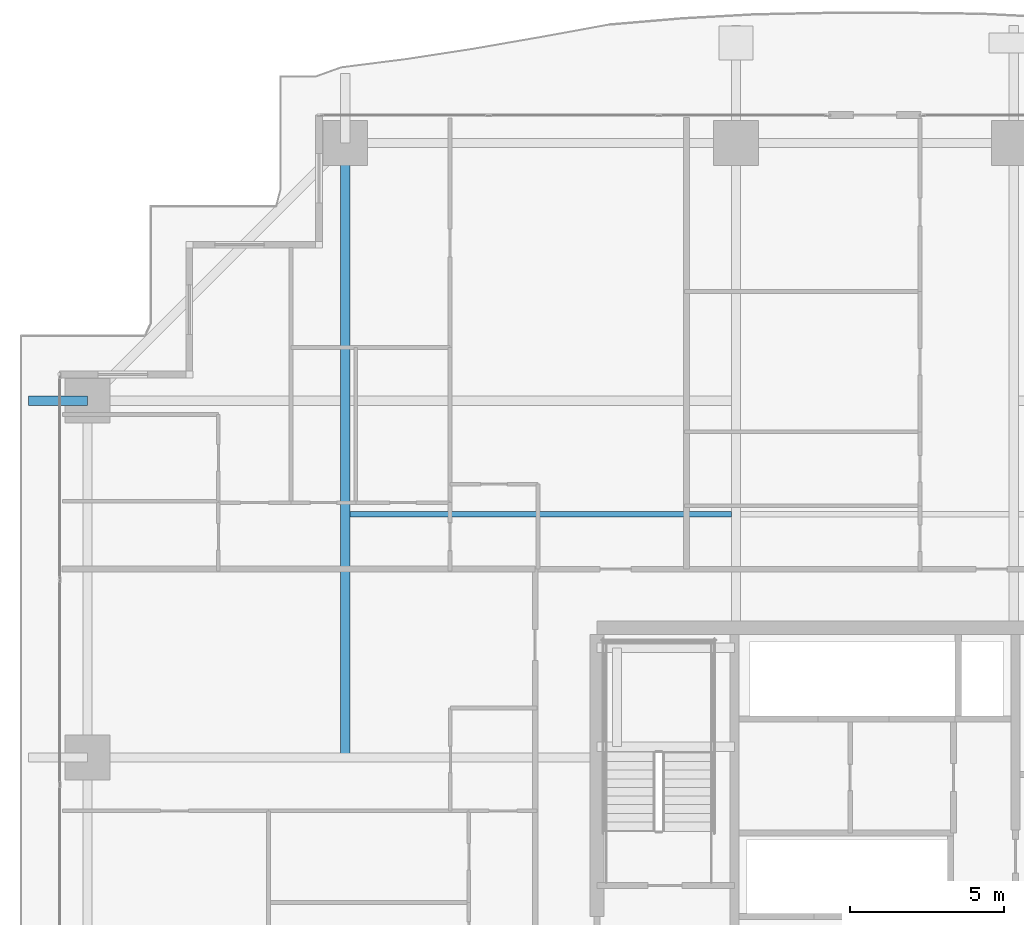
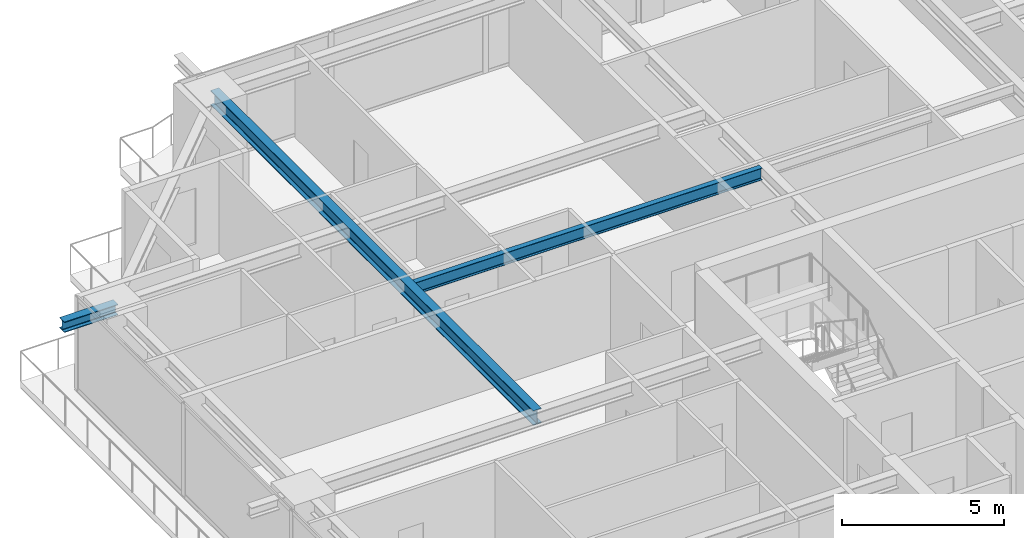
# One storey, part 17 of 37: 3 beams.
"""IFC4 building model written with IfcOpenShell, lengths in metres."""

from ifc_helpers import new_model, si_unit, direction, frame, origin, origin_2d, place, context, subcontext, project, spatial, i_section, extrude, source, transform, mapped, material, material_profile, profile_set, type_object, element, save


model = new_model("IFC4")

# Units and contexts
model_context = context("Model", 3, precision=1e-05, world=origin(), true_north=direction((0.0, 1.0)))
body_context = subcontext(model_context, "Body", "Model", "MODEL_VIEW")
ifc_project = project(units=[si_unit("LENGTHUNIT", "METRE"), si_unit("AREAUNIT", "SQUARE_METRE"), si_unit("VOLUMEUNIT", "CUBIC_METRE"), si_unit("PLANEANGLEUNIT", "RADIAN"), si_unit("MASSUNIT", "GRAM", prefix="KILO")], contexts=[model_context])

# Site, building, storey
site_placement = place(None, origin())
site = spatial("IfcSite", under=ifc_project, at=site_placement, CompositionType="ELEMENT")
building_placement = place(site_placement, origin())
building = spatial("IfcBuilding", under=site, at=building_placement, Name="Serunith Strait Residences", CompositionType="ELEMENT")
storey_placement = place(building_placement, frame((0.0, 0.0, 34.199951171875)))
storey = spatial("IfcBuildingStorey", under=building, at=storey_placement, Name="L07", CompositionType="ELEMENT", Elevation=34.199951171875)

# Beams
ifc_material = material(Name="Steel S355J2", Category="steel")
ifc_material_profile_1 = material_profile(ifc_material, i_section(OverallWidth=0.300048828125, OverallDepth=0.550048828125, WebThickness=0.014892578125, FlangeThickness=0.029052734375, FilletRadius=0.027099609375, at=origin_2d()), Name="HEB 550")
ifc_profile_set_1 = profile_set([ifc_material_profile_1], Name="Steel S355J2")
beam_type_1 = type_object("IfcBeamType", Name="BM-HEB550", PredefinedType="BEAM", material=ifc_profile_set_1)
shared_shape_1 = source(origin(), body_context, "Body", "SweptSolid", [
    extrude(i_section(OverallWidth=0.300048828125, OverallDepth=0.550048828125, WebThickness=0.014892578125, FlangeThickness=0.029052734375, FilletRadius=0.027099609375, at=origin_2d()), origin(), (0.0, 0.0, 1.0), 19.900146484375),
])
beam_1_placement = place(storey_placement, frame((15.25, 29.39990234375, 3.212158203125), z_axis=(0.0, 1.0, 0.0), x_axis=(-1.0, 0.0, 0.0)))
element("IfcBeam", 1, at=beam_1_placement, inside=storey, type_object=beam_type_1, Name="L07 Orthogonal Corner Girder TC-N1", PredefinedType="BEAM", context=body_context, shape_type="MappedRepresentation", body=[
    mapped(shared_shape_1, transform((0.0, 0.0, 0.0), scale=1.0)),
])
ifc_material_profile_2 = material_profile(ifc_material, i_section(OverallWidth=0.18994140625, OverallDepth=0.449951171875, WebThickness=0.009521484375, FlangeThickness=0.0146484375, FilletRadius=0.02099609375, at=origin_2d()), Name="IPE 450")
ifc_profile_set_2 = profile_set([ifc_material_profile_2], Name="Steel S355J2")
beam_type_2 = type_object("IfcBeamType", Name="BM-IPE450", PredefinedType="JOIST", material=ifc_profile_set_2)
shared_shape_2 = source(origin(), body_context, "Body", "SweptSolid", [
    extrude(i_section(OverallWidth=0.18994140625, OverallDepth=0.449951171875, WebThickness=0.009521484375, FlangeThickness=0.0146484375, FilletRadius=0.02099609375, at=origin_2d()), origin(), (0.0, 0.0, 1.0), 12.35009765625),
])
beam_2_placement = place(storey_placement, frame((15.39990234375, 37.27490234375, 3.261962890625), z_axis=(1.0, 0.0, 0.0), x_axis=(0.0, 1.0, 0.0)))
element("IfcBeam", 2, at=beam_2_placement, inside=storey, type_object=beam_type_2, Name="L07 Composite Floor Joist 04", PredefinedType="JOIST", context=body_context, shape_type="MappedRepresentation", body=[
    mapped(shared_shape_2, transform((0.0, 0.0, 0.0), scale=1.0)),
])
ifc_material_profile_3 = material_profile(ifc_material, i_section(OverallWidth=0.300048828125, OverallDepth=0.39990234375, WebThickness=0.013427734375, FlangeThickness=0.02392578125, FilletRadius=0.027099609375, at=origin_2d()), Name="HEB 400")
ifc_profile_set_3 = profile_set([ifc_material_profile_3], Name="Steel S355J2")
beam_type_3 = type_object("IfcBeamType", Name="BM-HEB400", PredefinedType="BEAM", material=ifc_profile_set_3)
shared_shape_3 = source(origin(), body_context, "Body", "SweptSolid", [
    extrude(i_section(OverallWidth=0.300048828125, OverallDepth=0.39990234375, WebThickness=0.013427734375, FlangeThickness=0.02392578125, FilletRadius=0.027099609375, at=origin_2d()), origin(), (0.0, 0.0, 1.0), 1.909912109375),
])
beam_3_placement = place(storey_placement, frame((6.89990234375, 40.949951171875, 3.257080078125), z_axis=(-1.0, 0.0, 0.0), x_axis=(0.0, -1.0, 0.0)))
element("IfcBeam", 3, at=beam_3_placement, inside=storey, type_object=beam_type_3, Name="L08 Cantilevered Balcony Rib TC-W4", PredefinedType="BEAM", context=body_context, shape_type="MappedRepresentation", body=[
    mapped(shared_shape_3, transform((0.0, 0.0, 0.0), scale=1.0)),
])

save(model, "model.ifc")
